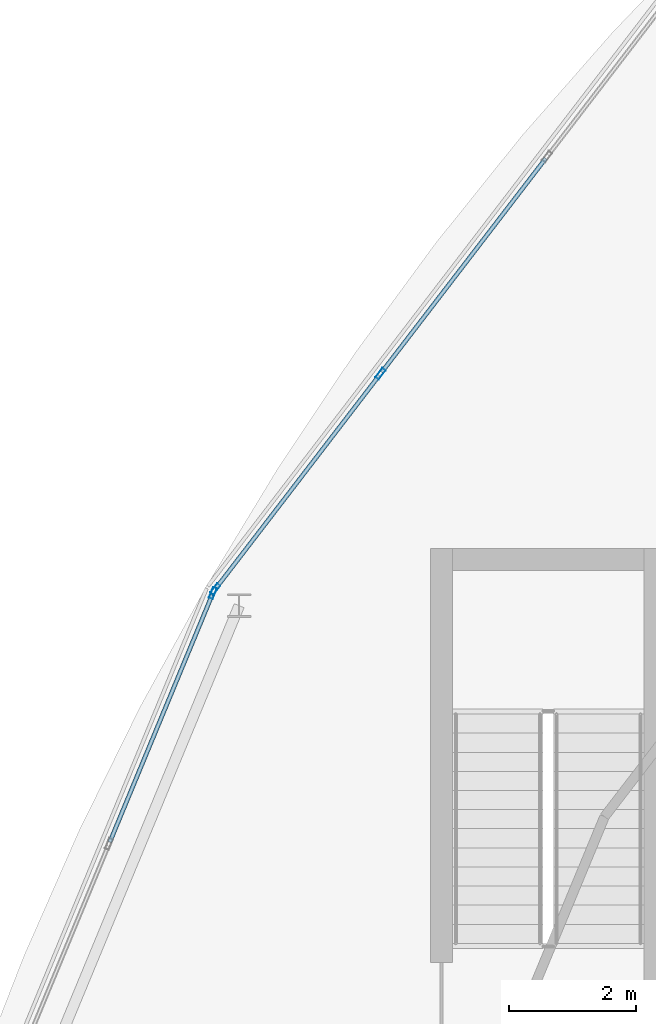
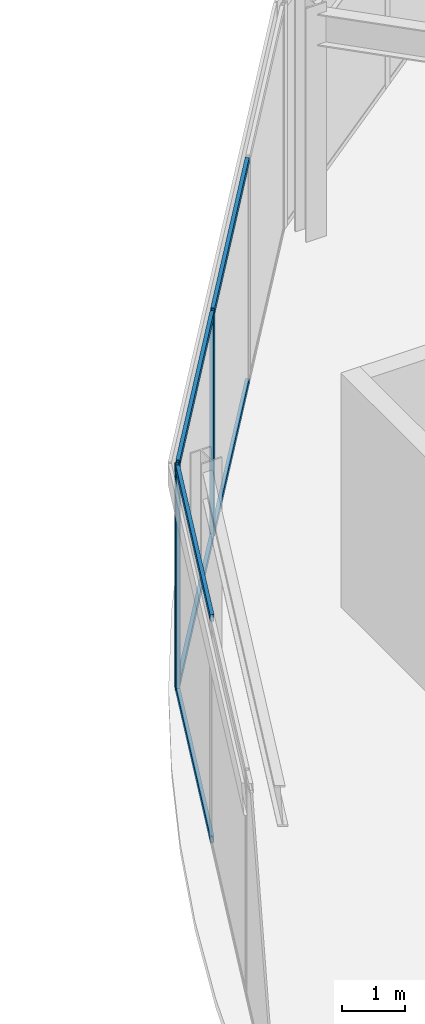
# One storey, part 60 of 157: 9 members, 2 elements without a shape of their own.
"""IFC4 building model written with IfcOpenShell, lengths in metres."""

from ifc_helpers import new_model, si_unit, direction, frame, origin, origin_2d, place, context, subcontext, project, spatial, hollow_rectangle, extrude, material, material_profile, profile_set, type_object, element, aggregate, save


model = new_model("IFC4")

# Units and contexts
model_context = context("Model", 3, precision=1e-05, world=origin(), true_north=direction((0.0, 1.0)))
body_context = subcontext(model_context, "Body", "Model", "MODEL_VIEW")
ifc_project = project(units=[si_unit("LENGTHUNIT", "METRE"), si_unit("AREAUNIT", "SQUARE_METRE"), si_unit("VOLUMEUNIT", "CUBIC_METRE"), si_unit("PLANEANGLEUNIT", "RADIAN"), si_unit("MASSUNIT", "GRAM", prefix="KILO")], contexts=[model_context])

# Site, building, storey
site_placement = place(None, origin())
site = spatial("IfcSite", under=ifc_project, at=site_placement, CompositionType="ELEMENT")
building_placement = place(site_placement, origin())
building = spatial("IfcBuilding", under=site, at=building_placement, Name="Almandine Court Research Institute", CompositionType="ELEMENT")
storey_placement = place(building_placement, frame((0.0, 0.0, 5.25)))
storey = spatial("IfcBuildingStorey", under=building, at=storey_placement, Name="L01", CompositionType="ELEMENT", Elevation=5.25)

# Curtain wall, members
ifc_material_1 = material(Name="Unitised Curtain Wall Framing and Solar Glazing", Category="glass")
curtain_wall_type = type_object("IfcCurtainWallType", Name="CW-CWJ-19", PredefinedType="USERDEFINED", material=ifc_material_1)
curtain_wall_1_placement = place(storey_placement, origin())
curtain_wall_1 = element("IfcCurtainWall", 1, at=curtain_wall_1_placement, inside=storey, type_object=curtain_wall_type, Name="L01 Stacked-Ring Drum Outer Solar Jali Screen 09", ObjectType="SOLAR JALI SCREEN", PredefinedType="USERDEFINED")
ifc_material_2 = material(Name="Anodised Aluminium AW-6063-T6", Category="aluminium")
ifc_material_profile_1 = material_profile(ifc_material_2, hollow_rectangle(XDim=0.06494140625, YDim=0.179931640625, WallThickness=0.00390625, at=origin_2d()), Name="ALU RHS 65x180x4")
ifc_profile_set_1 = profile_set([ifc_material_profile_1], Name="Anodised Aluminium AW-6063-T6")
member_type_1 = type_object("IfcMemberType", Name="CWMul-65x180", PredefinedType="MULLION", material=ifc_profile_set_1)
member_1_placement = place(storey_placement, frame((44.27490234375, 80.708740234375, 0.0), z_axis=(0.0, 0.0, 1.0), x_axis=(-0.793382586046, 0.608723313303, 0.0)))
member_1 = element("IfcMember", 2, at=member_1_placement, type_object=member_type_1, Name="CWJ-19 mullion 1", PredefinedType="MULLION", context=body_context, shape_type="SweptSolid", body=[
    extrude(hollow_rectangle(XDim=0.06494140625, YDim=0.179931640625, WallThickness=0.00390625, at=origin_2d()), origin(), (0.0, 0.0, 1.0), 4.3701171875),
])
member_2_placement = place(storey_placement, frame((46.867919921875, 84.088623046875, 0.0), z_axis=(0.0, 0.0, 1.0), x_axis=(-0.793382586046, 0.608723313303, 0.0)))
member_2 = element("IfcMember", 3, at=member_2_placement, type_object=member_type_1, Name="CWJ-19 mullion 2", PredefinedType="MULLION", context=body_context, shape_type="SweptSolid", body=[
    extrude(hollow_rectangle(XDim=0.06494140625, YDim=0.179931640625, WallThickness=0.00390625, at=origin_2d()), origin(), (0.0, 0.0, 1.0), 4.3701171875),
])

# Curtain wall, member
curtain_wall_2_placement = place(storey_placement, origin())
curtain_wall_2 = element("IfcCurtainWall", 4, at=curtain_wall_2_placement, inside=storey, type_object=curtain_wall_type, Name="L01 Stacked-Ring Drum Outer Solar Jali Screen 10", ObjectType="SOLAR JALI SCREEN", PredefinedType="USERDEFINED")
member_3_placement = place(storey_placement, frame((44.238525390625, 80.64697265625, 0.0), z_axis=(0.0, 0.0, 1.0), x_axis=(-0.923888124321, 0.382662689242, 0.0)))
member_3 = element("IfcMember", 5, at=member_3_placement, type_object=member_type_1, Name="CWJ-19 mullion 4", PredefinedType="MULLION", context=body_context, shape_type="SweptSolid", body=[
    extrude(hollow_rectangle(XDim=0.06494140625, YDim=0.179931640625, WallThickness=0.00390625, at=origin_2d()), origin(), (0.0, 0.0, 1.0), 4.3701171875),
])

# Member
ifc_material_profile_2 = material_profile(ifc_material_2, hollow_rectangle(XDim=0.06494140625, YDim=0.1298828125, WallThickness=0.00390625, at=origin_2d()), Name="ALU RHS 65x130x4")
ifc_profile_set_2 = profile_set([ifc_material_profile_2], Name="Anodised Aluminium AW-6063-T6")
member_type_2 = type_object("IfcMemberType", Name="CWTrn-65x130", PredefinedType="NOTDEFINED", material=ifc_profile_set_2)
member_4_placement = place(storey_placement, frame((44.294677734375, 80.734619140625, 0.032470703125), z_axis=(0.608689308041, 0.793408675449, 0.0), x_axis=(-0.793408675449, 0.608689308041, 0.0)))
member_4 = element("IfcMember", 6, at=member_4_placement, type_object=member_type_2, Name="CWJ-19 transom 1.1", ObjectType="TRANSOM", PredefinedType="USERDEFINED", context=body_context, shape_type="SweptSolid", body=[
    extrude(hollow_rectangle(XDim=0.06494140625, YDim=0.1298828125, WallThickness=0.00390625, at=origin_2d()), origin(), (0.0, 0.0, 1.0), 4.195068359375),
])

member_5_placement = place(storey_placement, frame((44.294677734375, 80.734619140625, 4.33740234375), z_axis=(0.608689308041, 0.793408675449, 0.0), x_axis=(-0.793408675449, 0.608689308041, 0.0)))
member_5 = element("IfcMember", 7, at=member_5_placement, type_object=member_type_2, Name="CWJ-19 transom 1.2", ObjectType="TRANSOM", PredefinedType="USERDEFINED", context=body_context, shape_type="SweptSolid", body=[
    extrude(hollow_rectangle(XDim=0.06494140625, YDim=0.1298828125, WallThickness=0.00390625, at=origin_2d()), origin(), (0.0, 0.0, 1.0), 4.195068359375),
])

member_6_placement = place(storey_placement, frame((46.8876953125, 84.114501953125, 0.032470703125), z_axis=(0.608741867566, 0.793368349931, 0.0), x_axis=(-0.793368349931, 0.608741867566, 0.0)))
member_6 = element("IfcMember", 8, at=member_6_placement, type_object=member_type_2, Name="CWJ-19 transom 2.1", ObjectType="TRANSOM", PredefinedType="USERDEFINED", context=body_context, shape_type="SweptSolid", body=[
    extrude(hollow_rectangle(XDim=0.06494140625, YDim=0.1298828125, WallThickness=0.00390625, at=origin_2d()), origin(), (0.0, 0.0, 1.0), 4.2275390625),
])

member_7_placement = place(storey_placement, frame((46.8876953125, 84.114501953125, 4.33740234375), z_axis=(0.608741867566, 0.793368349931, 0.0), x_axis=(-0.793368349931, 0.608741867566, 0.0)))
member_7 = element("IfcMember", 9, at=member_7_placement, type_object=member_type_2, Name="CWJ-19 transom 2.2", ObjectType="TRANSOM", PredefinedType="USERDEFINED", context=body_context, shape_type="SweptSolid", body=[
    extrude(hollow_rectangle(XDim=0.06494140625, YDim=0.1298828125, WallThickness=0.00390625, at=origin_2d()), origin(), (0.0, 0.0, 1.0), 4.2275390625),
])

aggregate(curtain_wall_1, [member_1, member_2, member_4, member_5, member_6, member_7])

member_8_placement = place(storey_placement, frame((42.620849609375, 76.740966796875, 0.032470703125), z_axis=(0.382631051398, 0.923901227679, 0.0), x_axis=(-0.923901227679, 0.382631051398, 0.0)))
member_8 = element("IfcMember", 10, at=member_8_placement, type_object=member_type_2, Name="CWJ-19 transom 3.1", ObjectType="TRANSOM", PredefinedType="USERDEFINED", context=body_context, shape_type="SweptSolid", body=[
    extrude(hollow_rectangle(XDim=0.06494140625, YDim=0.1298828125, WallThickness=0.00390625, at=origin_2d()), origin(), (0.0, 0.0, 1.0), 4.1953125),
])

member_9_placement = place(storey_placement, frame((42.620849609375, 76.740966796875, 4.33740234375), z_axis=(0.382631051398, 0.923901227679, 0.0), x_axis=(-0.923901227679, 0.382631051398, 0.0)))
member_9 = element("IfcMember", 11, at=member_9_placement, type_object=member_type_2, Name="CWJ-19 transom 3.2", ObjectType="TRANSOM", PredefinedType="USERDEFINED", context=body_context, shape_type="SweptSolid", body=[
    extrude(hollow_rectangle(XDim=0.06494140625, YDim=0.1298828125, WallThickness=0.00390625, at=origin_2d()), origin(), (0.0, 0.0, 1.0), 4.1953125),
])

aggregate(curtain_wall_2, [member_3, member_8, member_9])

save(model, "model.ifc")
